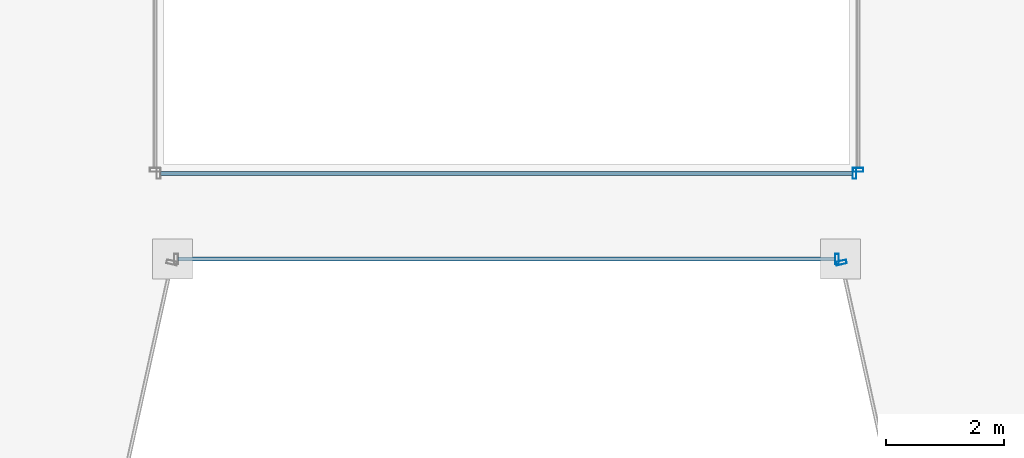
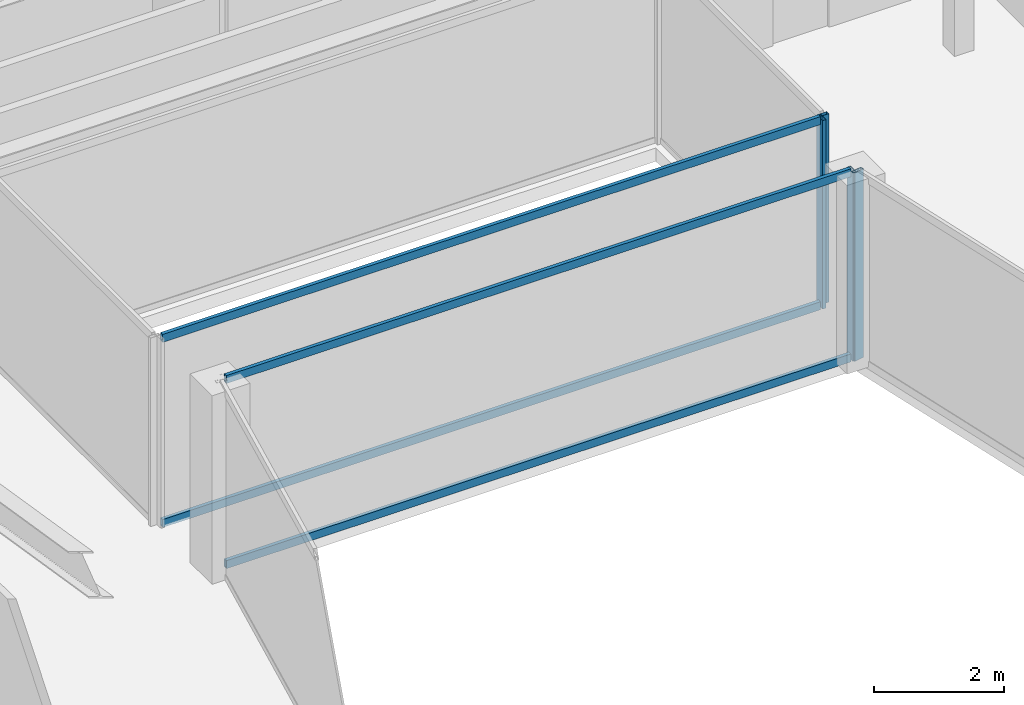
# One storey, part 6 of 33: 8 members, 4 elements without a shape of their own.
"""IFC4 building model written with IfcOpenShell, lengths in metres."""

from ifc_helpers import new_model, si_unit, direction, frame, origin, origin_2d, place, context, subcontext, project, spatial, hollow_rectangle, extrude, material, material_profile, profile_set, type_object, element, aggregate, save


model = new_model("IFC4")

# Units and contexts
model_context = context("Model", 3, precision=1e-05, world=origin(), true_north=direction((0.0, 1.0)))
body_context = subcontext(model_context, "Body", "Model", "MODEL_VIEW")
ifc_project = project(units=[si_unit("LENGTHUNIT", "METRE"), si_unit("AREAUNIT", "SQUARE_METRE"), si_unit("VOLUMEUNIT", "CUBIC_METRE"), si_unit("PLANEANGLEUNIT", "RADIAN"), si_unit("MASSUNIT", "GRAM", prefix="KILO")], contexts=[model_context])

# Site, building, storey
site_placement = place(None, origin())
site = spatial("IfcSite", under=ifc_project, at=site_placement, CompositionType="ELEMENT")
building_placement = place(site_placement, origin())
building = spatial("IfcBuilding", under=site, at=building_placement, Name="Saevonmaru Cultural Tower", CompositionType="ELEMENT")
storey_placement = place(building_placement, frame((0.0, 0.0, 238.199951171875)))
storey = spatial("IfcBuildingStorey", under=building, at=storey_placement, Name="L55", CompositionType="ELEMENT", Elevation=238.199951171875)

# Curtain wall, member
ifc_material = material(Name="Satin Bronze Anodised Aluminium", Category="aluminium")
curtain_wall_type_1 = type_object("IfcCurtainWallType", Name="CW-TYP-B", PredefinedType="NOTDEFINED", material=ifc_material)
curtain_wall_1_placement = place(storey_placement, origin())
curtain_wall_1 = element("IfcCurtainWall", 1, at=curtain_wall_1_placement, inside=storey, type_object=curtain_wall_type_1, Name="L55 Unitised Curtain Wall E4", PredefinedType="NOTDEFINED")
ifc_material_profile_1 = material_profile(ifc_material, hollow_rectangle(XDim=0.06494140625, YDim=0.179931640625, WallThickness=0.00390625, at=origin_2d()), Name="ALU-MULL-180x65x4")
ifc_profile_set_1 = profile_set([ifc_material_profile_1], Name="Satin Bronze Anodised Aluminium")
member_type_1 = type_object("IfcMemberType", Name="ML-CW-180x65", PredefinedType="MULLION", material=ifc_profile_set_1)
member_1_placement = place(storey_placement, frame((35.59326171875, 31.199951171875, 0.0), z_axis=(0.0, 0.0, 1.0), x_axis=(1.0, 0.0, 0.0)))
member_1 = element("IfcMember", 2, at=member_1_placement, type_object=member_type_1, Name="CW-TW-L55-E4 mullion 2", PredefinedType="MULLION", context=body_context, shape_type="SweptSolid", body=[
    extrude(hollow_rectangle(XDim=0.06494140625, YDim=0.179931640625, WallThickness=0.00390625, at=origin_2d()), origin(), (0.0, 0.0, 1.0), 3.550048828125),
])

curtain_wall_2_placement = place(storey_placement, origin())
curtain_wall_2 = element("IfcCurtainWall", 3, at=curtain_wall_2_placement, inside=storey, type_object=curtain_wall_type_1, Name="L55 Unitised Curtain Wall E5", PredefinedType="NOTDEFINED")
member_2_placement = place(storey_placement, frame((35.666259765625, 31.141357421875, 0.0), z_axis=(0.0, 0.0, 1.0), x_axis=(0.215413319953, -0.976522965212, 0.0)))
member_2 = element("IfcMember", 4, at=member_2_placement, type_object=member_type_1, Name="CW-TW-L55-E5 mullion 1", PredefinedType="MULLION", context=body_context, shape_type="SweptSolid", body=[
    extrude(hollow_rectangle(XDim=0.06494140625, YDim=0.179931640625, WallThickness=0.00390625, at=origin_2d()), origin(), (0.0, 0.0, 1.0), 3.550048828125),
])
aggregate(curtain_wall_2, [member_2])

curtain_wall_type_2 = type_object("IfcCurtainWallType", Name="CW-ATR-GLZ", PredefinedType="NOTDEFINED", material=ifc_material)
curtain_wall_3_placement = place(storey_placement, origin())
curtain_wall_3 = element("IfcCurtainWall", 5, at=curtain_wall_3_placement, inside=storey, type_object=curtain_wall_type_2, Name="L55 Vertical Atrium Glazed Smoke Screen 1", PredefinedType="NOTDEFINED")
ifc_material_profile_2 = material_profile(ifc_material, hollow_rectangle(XDim=0.06494140625, YDim=0.179931640625, WallThickness=0.00390625, at=origin_2d()), Name="ALU-MULL-180x65x4")
ifc_profile_set_2 = profile_set([ifc_material_profile_2], Name="Satin Bronze Anodised Aluminium")
member_type_2 = type_object("IfcMemberType", Name="ML-CW-INT-180x65", PredefinedType="MULLION", material=ifc_profile_set_2)
member_3_placement = place(storey_placement, frame((35.889892578125, 32.64990234375, 0.0), z_axis=(0.0, 0.0, 1.0), x_axis=(1.0, 0.0, 0.0)))
member_3 = element("IfcMember", 6, at=member_3_placement, type_object=member_type_2, Name="CW-ATR-L55-1 mullion 2", PredefinedType="MULLION", context=body_context, shape_type="SweptSolid", body=[
    extrude(hollow_rectangle(XDim=0.06494140625, YDim=0.179931640625, WallThickness=0.00390625, at=origin_2d()), origin(), (0.0, 0.0, 1.0), 3.550048828125),
])

curtain_wall_4_placement = place(storey_placement, origin())
curtain_wall_4 = element("IfcCurtainWall", 7, at=curtain_wall_4_placement, inside=storey, type_object=curtain_wall_type_2, Name="L55 Vertical Atrium Glazed Smoke Screen 2", PredefinedType="NOTDEFINED")
member_4_placement = place(storey_placement, frame((35.949951171875, 32.7099609375, 0.0), z_axis=(0.0, 0.0, 1.0), x_axis=(0.0, 1.0, 0.0)))
member_4 = element("IfcMember", 8, at=member_4_placement, type_object=member_type_2, Name="CW-ATR-L55-2 mullion 1", PredefinedType="MULLION", context=body_context, shape_type="SweptSolid", body=[
    extrude(hollow_rectangle(XDim=0.06494140625, YDim=0.179931640625, WallThickness=0.00390625, at=origin_2d()), origin(), (0.0, 0.0, 1.0), 3.550048828125),
])
aggregate(curtain_wall_4, [member_4])

# Member
ifc_material_profile_3 = material_profile(ifc_material, hollow_rectangle(XDim=0.06494140625, YDim=0.14990234375, WallThickness=0.00390625, at=origin_2d()), Name="ALU-TRAN-150x65x4")
ifc_profile_set_3 = profile_set([ifc_material_profile_3], Name="Satin Bronze Anodised Aluminium")
member_type_3 = type_object("IfcMemberType", Name="TR-CW-150x65", PredefinedType="USERDEFINED", material=ifc_profile_set_3)
member_5_placement = place(storey_placement, frame((24.439208984375, 31.199951171875, 0.032470703125), z_axis=(1.0, 0.0, 0.0), x_axis=(0.0, 1.0, 0.0)))
member_5 = element("IfcMember", 9, at=member_5_placement, type_object=member_type_3, Name="CW-TW-L55-E4 transom 1.1", ObjectType="TRANSOM", PredefinedType="USERDEFINED", context=body_context, shape_type="SweptSolid", body=[
    extrude(hollow_rectangle(XDim=0.06494140625, YDim=0.14990234375, WallThickness=0.00390625, at=origin_2d()), origin(), (0.0, 0.0, 1.0), 11.12158203125),
])

member_6_placement = place(storey_placement, frame((24.439208984375, 31.199951171875, 3.517578125), z_axis=(1.0, 0.0, 0.0), x_axis=(0.0, 1.0, 0.0)))
member_6 = element("IfcMember", 10, at=member_6_placement, type_object=member_type_3, Name="CW-TW-L55-E4 transom 1.2", ObjectType="TRANSOM", PredefinedType="USERDEFINED", context=body_context, shape_type="SweptSolid", body=[
    extrude(hollow_rectangle(XDim=0.06494140625, YDim=0.14990234375, WallThickness=0.00390625, at=origin_2d()), origin(), (0.0, 0.0, 1.0), 11.12158203125),
])

aggregate(curtain_wall_1, [member_1, member_5, member_6])

ifc_material_profile_4 = material_profile(ifc_material, hollow_rectangle(XDim=0.06494140625, YDim=0.14990234375, WallThickness=0.00390625, at=origin_2d()), Name="ALU-TRAN-150x65x4")
ifc_profile_set_4 = profile_set([ifc_material_profile_4], Name="Satin Bronze Anodised Aluminium")
member_type_4 = type_object("IfcMemberType", Name="TR-CW-INT-150x65", PredefinedType="USERDEFINED", material=ifc_profile_set_4)
member_7_placement = place(storey_placement, frame((24.142578125, 32.64990234375, 0.032470703125), z_axis=(1.0, 0.0, 0.0), x_axis=(0.0, 1.0, 0.0)))
member_7 = element("IfcMember", 11, at=member_7_placement, type_object=member_type_4, Name="CW-ATR-L55-1 transom 1.1", ObjectType="TRANSOM", PredefinedType="USERDEFINED", context=body_context, shape_type="SweptSolid", body=[
    extrude(hollow_rectangle(XDim=0.06494140625, YDim=0.14990234375, WallThickness=0.00390625, at=origin_2d()), origin(), (0.0, 0.0, 1.0), 11.71484375),
])

member_8_placement = place(storey_placement, frame((24.142578125, 32.64990234375, 3.517578125), z_axis=(1.0, 0.0, 0.0), x_axis=(0.0, 1.0, 0.0)))
member_8 = element("IfcMember", 12, at=member_8_placement, type_object=member_type_4, Name="CW-ATR-L55-1 transom 1.2", ObjectType="TRANSOM", PredefinedType="USERDEFINED", context=body_context, shape_type="SweptSolid", body=[
    extrude(hollow_rectangle(XDim=0.06494140625, YDim=0.14990234375, WallThickness=0.00390625, at=origin_2d()), origin(), (0.0, 0.0, 1.0), 11.71484375),
])

aggregate(curtain_wall_3, [member_3, member_7, member_8])

save(model, "model.ifc")
